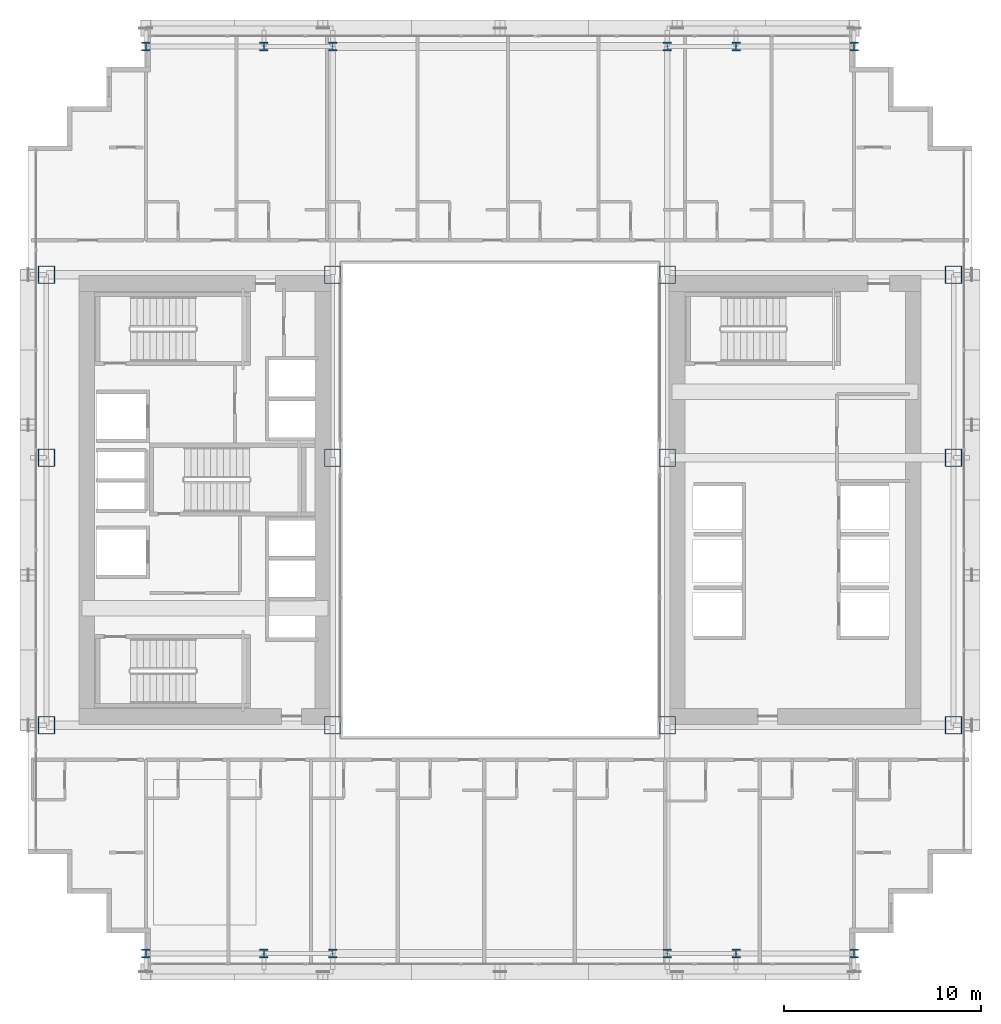
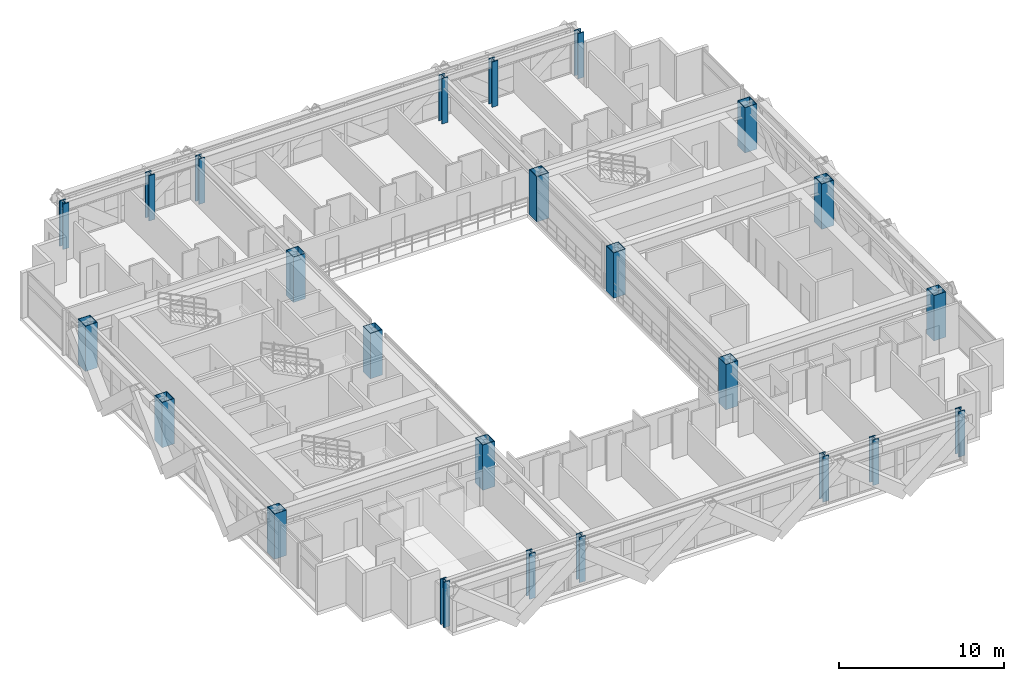
# One storey, part 1 of 41: 24 columns.
"""IFC4 building model written with IfcOpenShell, lengths in metres."""

from ifc_helpers import new_model, si_unit, direction, frame, origin, origin_2d, place, context, subcontext, project, spatial, hollow_rectangle, i_section, extrude, source, transform, mapped, material, material_profile, profile_set, type_object, element, save


model = new_model("IFC4")

# Units and contexts
model_context = context("Model", 3, precision=1e-05, world=origin(), true_north=direction((0.0, 1.0)))
body_context = subcontext(model_context, "Body", "Model", "MODEL_VIEW")
ifc_project = project(units=[si_unit("LENGTHUNIT", "METRE"), si_unit("AREAUNIT", "SQUARE_METRE"), si_unit("VOLUMEUNIT", "CUBIC_METRE"), si_unit("PLANEANGLEUNIT", "RADIAN"), si_unit("MASSUNIT", "GRAM", prefix="KILO")], contexts=[model_context])

# Site, building, storey
site_placement = place(None, origin())
site = spatial("IfcSite", under=ifc_project, at=site_placement, CompositionType="ELEMENT")
building_placement = place(site_placement, origin())
building = spatial("IfcBuilding", under=site, at=building_placement, Name="Ocotamira Hotel", CompositionType="ELEMENT")
storey_placement = place(building_placement, frame((0.0, 0.0, 38.39990234375)))
storey = spatial("IfcBuildingStorey", under=building, at=storey_placement, Name="L08", CompositionType="ELEMENT", Elevation=38.39990234375)

# Columns
ifc_material = material(Name="Steel ASTM A913 Grade 65", Category="steel")
ifc_material_profile_1 = material_profile(ifc_material, hollow_rectangle(XDim=0.85009765625, YDim=0.89990234375, WallThickness=0.0400390625, at=origin_2d()), Name="BOX900X850X40")
ifc_profile_set_1 = profile_set([ifc_material_profile_1], Name="Steel ASTM A913 Grade 65")
column_type_1 = type_object("IfcColumnType", Name="COL-BOX900", PredefinedType="COLUMN", material=ifc_profile_set_1)
shared_shape_1 = source(origin(), body_context, "Body", "SweptSolid", [
    extrude(hollow_rectangle(XDim=0.85009765625, YDim=0.89990234375, WallThickness=0.0400390625, at=origin_2d()), origin(), (0.0, 0.0, 1.0), 3.35009765625),
])
for number, where, z_axis, x_axis, name in (
    (1, (8.949951171875, 14.550048828125, 0.0), (0.0, 0.0, 1.0), (1.0, 0.0, 0.0), "L08 Column TW8_14"),
    (2, (23.5, 14.550048828125, 0.0), (0.0, 0.0, 1.0), (1.0, 0.0, 0.0), "L08 Column TW23_14"),
    (3, (40.5, 14.550048828125, 0.0), (0.0, 0.0, 1.0), (1.0, 0.0, 0.0), "L08 Column TE40_14"),
    (4, (55.050048828125, 14.550048828125, 0.0), (0.0, 0.0, 1.0), (1.0, 0.0, 0.0), "L08 Column TE55_14"),
    (5, (8.949951171875, 28.14990234375, 0.0), (0.0, 0.0, 1.0), (1.0, 0.0, 0.0), "L08 Column TW8_28"),
    (6, (23.5, 28.14990234375, 0.0), (0.0, 0.0, 1.0), (1.0, 0.0, 0.0), "L08 Column TW23_28"),
    (7, (40.5, 28.14990234375, 0.0), (0.0, 0.0, 1.0), (1.0, 0.0, 0.0), "L08 Column TE40_28"),
    (8, (55.050048828125, 28.14990234375, 0.0), (0.0, 0.0, 1.0), (1.0, 0.0, 0.0), "L08 Column TE55_28"),
    (9, (8.949951171875, 37.449951171875, 0.0), (0.0, 0.0, 1.0), (1.0, 0.0, 0.0), "L08 Column TW8_37"),
    (10, (23.5, 37.449951171875, 0.0), (0.0, 0.0, 1.0), (1.0, 0.0, 0.0), "L08 Column TW23_37"),
    (11, (40.5, 37.449951171875, 0.0), (0.0, 0.0, 1.0), (1.0, 0.0, 0.0), "L08 Column TE40_37"),
    (12, (55.050048828125, 37.449951171875, 0.0), (0.0, 0.0, 1.0), (1.0, 0.0, 0.0), "L08 Column TE55_37"),
):
    element("IfcColumn", number, at=place(storey_placement, frame(where, z_axis=z_axis, x_axis=x_axis)), inside=storey, type_object=column_type_1, Name=name, PredefinedType="COLUMN", context=body_context, shape_type="MappedRepresentation", body=[
        mapped(shared_shape_1, transform((0.0, 0.0, 0.0), scale=1.0)),
    ])
ifc_material_profile_2 = material_profile(ifc_material, i_section(OverallWidth=0.422119140625, OverallDepth=0.465087890625, WebThickness=0.044921875, FlangeThickness=0.072509765625, FilletRadius=0.02490234375, at=origin_2d()), Name="W14X398")
ifc_profile_set_2 = profile_set([ifc_material_profile_2], Name="Steel ASTM A913 Grade 65")
column_type_2 = type_object("IfcColumnType", Name="COL-W14X398", PredefinedType="COLUMN", material=ifc_profile_set_2)
shared_shape_2 = source(origin(), body_context, "Body", "SweptSolid", [
    extrude(i_section(OverallWidth=0.422119140625, OverallDepth=0.465087890625, WebThickness=0.044921875, FlangeThickness=0.072509765625, FilletRadius=0.02490234375, at=origin_2d()), origin(), (0.0, 0.0, 1.0), 3.35009765625),
])
for number, where, z_axis, x_axis, name in (
    (13, (14.0, 2.949951171875, 0.0), (0.0, 0.0, 1.0), (1.0, 0.0, 0.0), "L08 Column NSP1_14"),
    (14, (20.0, 2.949951171875, 0.0), (0.0, 0.0, 1.0), (1.0, 0.0, 0.0), "L08 Column NSP1_20"),
    (15, (23.5, 2.949951171875, 0.0), (0.0, 0.0, 1.0), (1.0, 0.0, 0.0), "L08 Column NSP1_23"),
    (16, (40.5, 2.949951171875, 0.0), (0.0, 0.0, 1.0), (1.0, 0.0, 0.0), "L08 Column NSP1_40"),
    (17, (44.0, 2.949951171875, 0.0), (0.0, 0.0, 1.0), (1.0, 0.0, 0.0), "L08 Column NSP1_44"),
    (18, (50.0, 2.949951171875, 0.0), (0.0, 0.0, 1.0), (1.0, 0.0, 0.0), "L08 Column NSP1_50"),
    (19, (14.0, 49.050048828125, 0.0), (0.0, 0.0, 1.0), (1.0, 0.0, 0.0), "L08 Column NSP2_14"),
    (20, (20.0, 49.050048828125, 0.0), (0.0, 0.0, 1.0), (1.0, 0.0, 0.0), "L08 Column NSP2_20"),
    (21, (23.5, 49.050048828125, 0.0), (0.0, 0.0, 1.0), (1.0, 0.0, 0.0), "L08 Column NSP2_23"),
    (22, (40.5, 49.050048828125, 0.0), (0.0, 0.0, 1.0), (1.0, 0.0, 0.0), "L08 Column NSP2_40"),
    (23, (44.0, 49.050048828125, 0.0), (0.0, 0.0, 1.0), (1.0, 0.0, 0.0), "L08 Column NSP2_44"),
    (24, (50.0, 49.050048828125, 0.0), (0.0, 0.0, 1.0), (1.0, 0.0, 0.0), "L08 Column NSP2_50"),
):
    element("IfcColumn", number, at=place(storey_placement, frame(where, z_axis=z_axis, x_axis=x_axis)), inside=storey, type_object=column_type_2, Name=name, PredefinedType="COLUMN", context=body_context, shape_type="MappedRepresentation", body=[
        mapped(shared_shape_2, transform((0.0, 0.0, 0.0), scale=1.0)),
    ])

save(model, "model.ifc")
